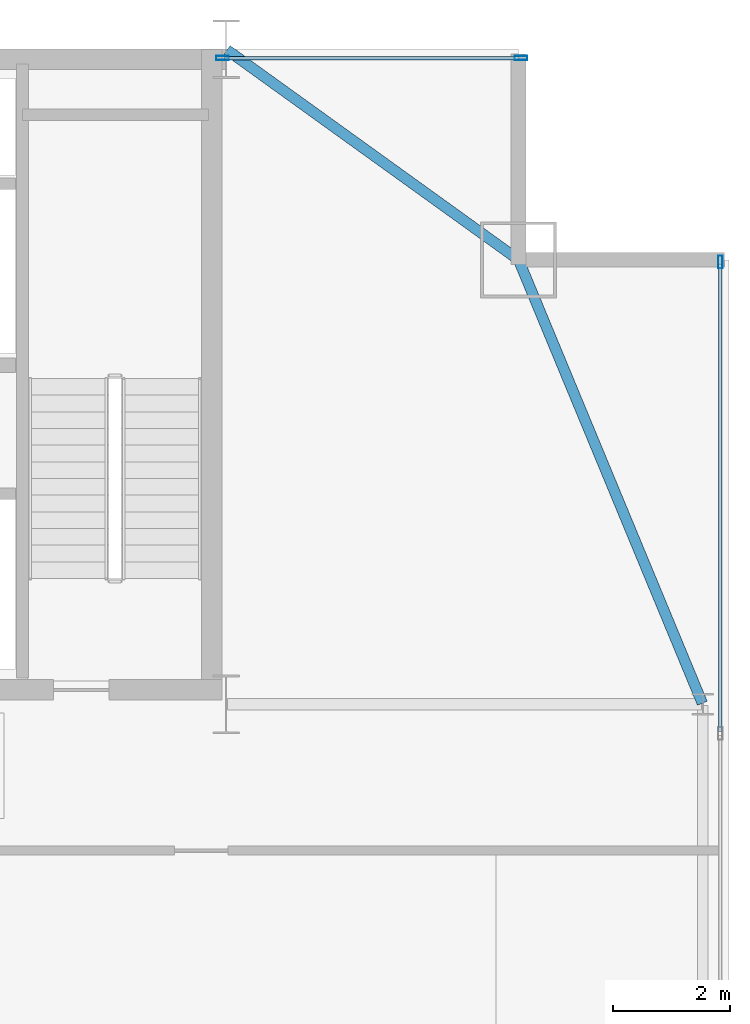
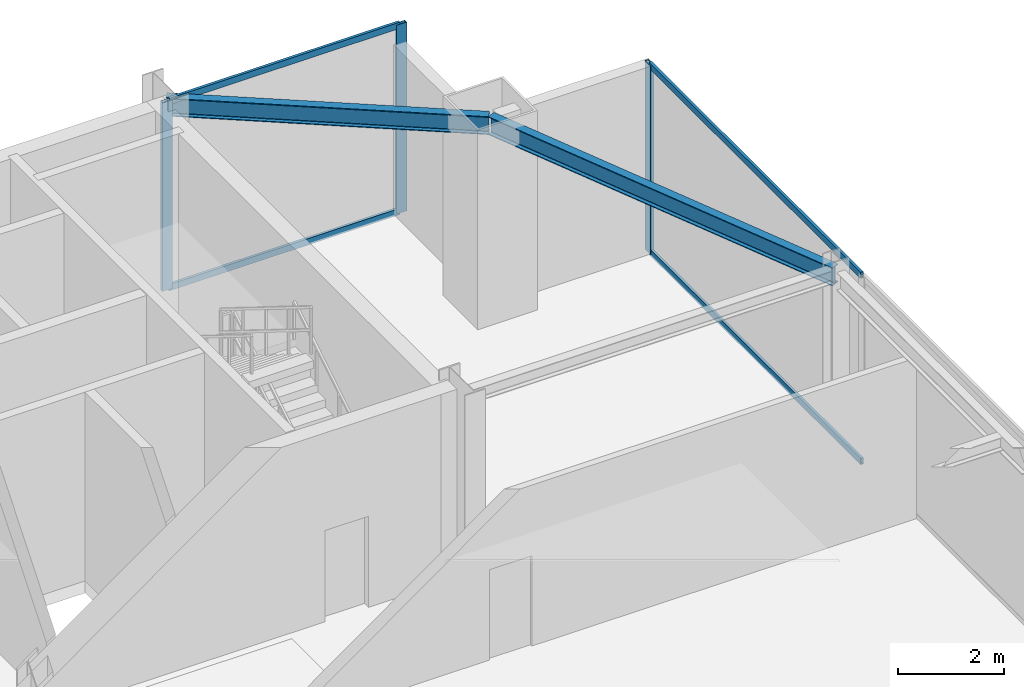
# One storey, part 19 of 25: 7 members, 2 beams, 2 elements without a shape of their own.
"""IFC4 building model written with IfcOpenShell, lengths in metres."""

from ifc_helpers import new_model, si_unit, direction, frame, origin, origin_2d, place, context, subcontext, project, spatial, hollow_rectangle, i_section, extrude, source, transform, mapped, material, layer, layer_set, material_profile, profile_set, type_object, type_shapes, element, aggregate, save


model = new_model("IFC4")

# Units and contexts
model_context = context("Model", 3, precision=1e-05, world=origin(), true_north=direction((0.0, 1.0)))
body_context = subcontext(model_context, "Body", "Model", "MODEL_VIEW")
ifc_project = project(units=[si_unit("LENGTHUNIT", "METRE"), si_unit("AREAUNIT", "SQUARE_METRE"), si_unit("VOLUMEUNIT", "CUBIC_METRE"), si_unit("PLANEANGLEUNIT", "RADIAN"), si_unit("MASSUNIT", "GRAM", prefix="KILO")], contexts=[model_context])

# Site, building, storey
site_placement = place(None, origin())
site = spatial("IfcSite", under=ifc_project, at=site_placement, CompositionType="ELEMENT")
building_placement = place(site_placement, origin())
building = spatial("IfcBuilding", under=site, at=building_placement, Name="Varnel Quay Broadcast Tower", CompositionType="ELEMENT")
storey_placement = place(building_placement, frame((0.0, 0.0, 191.39990234375)))
storey = spatial("IfcBuildingStorey", under=building, at=storey_placement, Name="L47", CompositionType="ELEMENT", Elevation=191.39990234375)

# Beams
ifc_material_1 = material(Name="Structural Steel CSA G40.21 350W", Category="steel")
ifc_material_profile_1 = material_profile(ifc_material_1, i_section(OverallWidth=0.180908203125, OverallDepth=0.4169921875, WebThickness=0.010986328125, FlangeThickness=0.018310546875, FilletRadius=0.011962890625, at=origin_2d()), Name="W410X85")
ifc_profile_set_1 = profile_set([ifc_material_profile_1], Name="Structural Steel CSA G40.21 350W")
beam_type = type_object("IfcBeamType", Name="Beam_W410X85", PredefinedType="SPANDREL", material=ifc_profile_set_1)
shared_shape_1 = source(origin(), body_context, "Body", "SweptSolid", [
    extrude(i_section(OverallWidth=0.180908203125, OverallDepth=0.4169921875, WebThickness=0.010986328125, FlangeThickness=0.018310546875, FilletRadius=0.011962890625, at=origin_2d()), origin(), (0.0, 0.0, 1.0), 8.186767578125),
])
beam_1_placement = place(storey_placement, frame((60.542236328125, 35.618408203125, 4.1416015625), z_axis=(-0.382874132092, 0.923800519038, 0.0), x_axis=(-0.923800519038, -0.382874132092, 0.0)))
element("IfcBeam", 1, at=beam_1_placement, inside=storey, type_object=beam_type, Name="L47 East Spandrel TC-E3-MC-NE", PredefinedType="SPANDREL", context=body_context, shape_type="MappedRepresentation", body=[
    mapped(shared_shape_1, transform((0.0, 0.0, 0.0), x_axis=(1.0, 0.0, 0.0), y_axis=(0.0, 1.0, 0.0), z_axis=(0.0, 0.0, 1.0), scale=1.0)),
])
shared_shape_2 = source(origin(), body_context, "Body", "SweptSolid", [
    extrude(i_section(OverallWidth=0.180908203125, OverallDepth=0.4169921875, WebThickness=0.010986328125, FlangeThickness=0.018310546875, FilletRadius=0.011962890625, at=origin_2d()), origin(), (0.0, 0.0, 1.0), 6.12109375),
])
type_shapes(beam_type, [shared_shape_1, shared_shape_2])
beam_2_placement = place(storey_placement, frame((52.416259765625, 46.788330078125, 4.1416015625), z_axis=(0.811531315425, -0.584308928637, 0.0), x_axis=(0.584308928637, 0.811531315425, 0.0)))
element("IfcBeam", 2, at=beam_2_placement, inside=storey, type_object=beam_type, Name="L47 NE Tie Spandrel", PredefinedType="SPANDREL", context=body_context, shape_type="MappedRepresentation", body=[
    mapped(shared_shape_2, transform((0.0, 0.0, 0.0), x_axis=(1.0, 0.0, 0.0), y_axis=(0.0, 1.0, 0.0), z_axis=(0.0, 0.0, 1.0), scale=1.0)),
])

# Curtain wall, member
ifc_material_2 = material(Name="Anodised Bronze Aluminium 6063-T6", Category="aluminium")
ifc_layer = layer(ifc_material_2, 0.18994140625, Name="Anodised Bronze Aluminium 6063-T6")
ifc_layer_set = layer_set([ifc_layer], Name="Anodised Bronze Aluminium 6063-T6")
curtain_wall_type = type_object("IfcCurtainWallType", Name="CW_SkyObsHighVis", PredefinedType="NOTDEFINED", material=ifc_layer_set)
curtain_wall_1_placement = place(storey_placement, origin())
curtain_wall_1 = element("IfcCurtainWall", 3, at=curtain_wall_1_placement, inside=storey, type_object=curtain_wall_type, Name="L47 East Unitised Curtain Wall", PredefinedType="NOTDEFINED")
ifc_material_profile_2 = material_profile(ifc_material_2, hollow_rectangle(XDim=0.074951171875, YDim=0.219970703125, WallThickness=0.00390625, at=origin_2d()), Name="ALU75X220X4")
ifc_profile_set_2 = profile_set([ifc_material_profile_2], Name="Anodised Bronze Aluminium 6063-T6")
member_type_1 = type_object("IfcMemberType", Name="Mull_CWS-05", PredefinedType="MULLION", material=ifc_profile_set_2)
shared_shape_3 = source(origin(), body_context, "Body", "SweptSolid", [
    extrude(hollow_rectangle(XDim=0.074951171875, YDim=0.219970703125, WallThickness=0.00390625, at=origin_2d()), origin(), (0.0, 0.0, 1.0), 4.35009765625),
])
type_shapes(member_type_1, [shared_shape_3])
member_1_placement = place(storey_placement, frame((60.85009765625, 43.16259765625, 0.0), z_axis=(0.0, 0.0, 1.0), x_axis=(-1.0, 0.0, 0.0)))
member_1 = element("IfcMember", 4, at=member_1_placement, type_object=member_type_1, Name="CWS-05 mullion 5", PredefinedType="MULLION", context=body_context, shape_type="MappedRepresentation", body=[
    mapped(shared_shape_3, transform((0.0, 0.0, 0.0), x_axis=(1.0, 0.0, 0.0), y_axis=(0.0, 1.0, 0.0), z_axis=(0.0, 0.0, 1.0), scale=1.0)),
])

# Curtain wall, members
curtain_wall_2_placement = place(storey_placement, origin())
curtain_wall_2 = element("IfcCurtainWall", 5, at=curtain_wall_2_placement, inside=storey, type_object=curtain_wall_type, Name="L47 NE Wing Curtain Wall", PredefinedType="NOTDEFINED")
member_2_placement = place(storey_placement, frame((52.33740234375, 46.64990234375, 0.0), z_axis=(0.0, 0.0, 1.0), x_axis=(0.0, 1.0, 0.0)))
member_2 = element("IfcMember", 6, at=member_2_placement, type_object=member_type_1, Name="CWS-05 mullion 1", PredefinedType="MULLION", context=body_context, shape_type="MappedRepresentation", body=[
    mapped(shared_shape_3, transform((0.0, 0.0, 0.0), x_axis=(1.0, 0.0, 0.0), y_axis=(0.0, 1.0, 0.0), z_axis=(0.0, 0.0, 1.0), scale=1.0)),
])
member_3_placement = place(storey_placement, frame((57.4423828125, 46.64990234375, 0.0), z_axis=(0.0, 0.0, 1.0), x_axis=(0.0, 1.0, 0.0)))
member_3 = element("IfcMember", 7, at=member_3_placement, type_object=member_type_1, Name="CWS-05 mullion 2", PredefinedType="MULLION", context=body_context, shape_type="MappedRepresentation", body=[
    mapped(shared_shape_3, transform((0.0, 0.0, 0.0), x_axis=(1.0, 0.0, 0.0), y_axis=(0.0, 1.0, 0.0), z_axis=(0.0, 0.0, 1.0), scale=1.0)),
])

# Member
ifc_material_profile_3 = material_profile(ifc_material_2, hollow_rectangle(XDim=0.06005859375, YDim=0.14501953125, WallThickness=0.00341796875, at=origin_2d()), Name="ALU60X145X3.5")
ifc_profile_set_3 = profile_set([ifc_material_profile_3], Name="Anodised Bronze Aluminium 6063-T6")
member_type_2 = type_object("IfcMemberType", Name="Tran_CWS-05", PredefinedType="USERDEFINED", material=ifc_profile_set_3)
shared_shape_4 = source(origin(), body_context, "Body", "SweptSolid", [
    extrude(hollow_rectangle(XDim=0.06005859375, YDim=0.14501953125, WallThickness=0.00341796875, at=origin_2d()), origin(), (0.0, 0.0, 1.0), 7.987548828125),
])
member_4_placement = place(storey_placement, frame((60.85009765625, 35.137451171875, 0.030029296875), z_axis=(0.0, 1.0, 0.0), x_axis=(-1.0, 0.0, 0.0)))
member_4 = element("IfcMember", 8, at=member_4_placement, type_object=member_type_2, Name="CWS-05 transom 4.1", ObjectType="TRANSOM", PredefinedType="USERDEFINED", context=body_context, shape_type="MappedRepresentation", body=[
    mapped(shared_shape_4, transform((0.0, 0.0, 0.0), x_axis=(1.0, 0.0, 0.0), y_axis=(0.0, 1.0, 0.0), z_axis=(0.0, 0.0, 1.0), scale=1.0)),
])

member_5_placement = place(storey_placement, frame((60.85009765625, 35.137451171875, 4.320068359375), z_axis=(0.0, 1.0, 0.0), x_axis=(-1.0, 0.0, 0.0)))
member_5 = element("IfcMember", 9, at=member_5_placement, type_object=member_type_2, Name="CWS-05 transom 4.2", ObjectType="TRANSOM", PredefinedType="USERDEFINED", context=body_context, shape_type="MappedRepresentation", body=[
    mapped(shared_shape_4, transform((0.0, 0.0, 0.0), x_axis=(1.0, 0.0, 0.0), y_axis=(0.0, 1.0, 0.0), z_axis=(0.0, 0.0, 1.0), scale=1.0)),
])

aggregate(curtain_wall_1, [member_1, member_4, member_5])

shared_shape_5 = source(origin(), body_context, "Body", "SweptSolid", [
    extrude(hollow_rectangle(XDim=0.06005859375, YDim=0.14501953125, WallThickness=0.00341796875, at=origin_2d()), origin(), (0.0, 0.0, 1.0), 5.030029296875),
])
type_shapes(member_type_2, [shared_shape_4, shared_shape_5])
member_6_placement = place(storey_placement, frame((52.375, 46.64990234375, 0.030029296875), z_axis=(1.0, 0.0, 0.0), x_axis=(0.0, 1.0, 0.0)))
member_6 = element("IfcMember", 10, at=member_6_placement, type_object=member_type_2, Name="CWS-05 transom 1.1", ObjectType="TRANSOM", PredefinedType="USERDEFINED", context=body_context, shape_type="MappedRepresentation", body=[
    mapped(shared_shape_5, transform((0.0, 0.0, 0.0), x_axis=(1.0, 0.0, 0.0), y_axis=(0.0, 1.0, 0.0), z_axis=(0.0, 0.0, 1.0), scale=1.0)),
])

member_7_placement = place(storey_placement, frame((52.375, 46.64990234375, 4.320068359375), z_axis=(1.0, 0.0, 0.0), x_axis=(0.0, 1.0, 0.0)))
member_7 = element("IfcMember", 11, at=member_7_placement, type_object=member_type_2, Name="CWS-05 transom 1.2", ObjectType="TRANSOM", PredefinedType="USERDEFINED", context=body_context, shape_type="MappedRepresentation", body=[
    mapped(shared_shape_5, transform((0.0, 0.0, 0.0), x_axis=(1.0, 0.0, 0.0), y_axis=(0.0, 1.0, 0.0), z_axis=(0.0, 0.0, 1.0), scale=1.0)),
])

aggregate(curtain_wall_2, [member_2, member_3, member_6, member_7])

save(model, "model.ifc")
